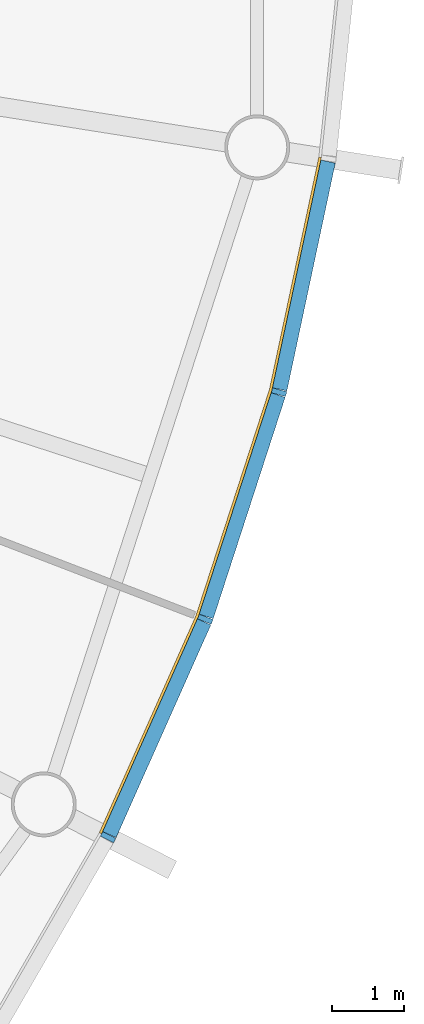
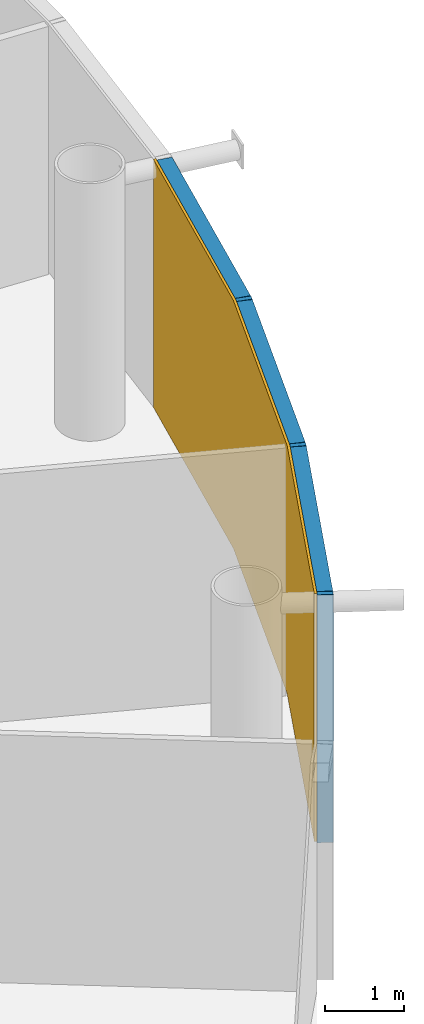
# One storey, part 14 of 18: 6 members, 1 curtain wall.
"""IFC4 building model written with IfcOpenShell, lengths in metres."""

from ifc_helpers import new_model, si_unit, direction, frame, origin, origin_2d, place, context, subcontext, project, spatial, polyline, rectangle, outline, extrude, material, layer, layer_set, material_profile, profile_set, type_object, element, aggregate, save


model = new_model("IFC4")

# Units and contexts
model_context = context("Model", 3, precision=1e-05, world=origin(), true_north=direction((0.0, 1.0)))
body_context = subcontext(model_context, "Body", "Model", "MODEL_VIEW")
ifc_project = project(units=[si_unit("LENGTHUNIT", "METRE"), si_unit("AREAUNIT", "SQUARE_METRE"), si_unit("VOLUMEUNIT", "CUBIC_METRE"), si_unit("PLANEANGLEUNIT", "RADIAN"), si_unit("MASSUNIT", "GRAM", prefix="KILO")], contexts=[model_context])

# Member
ifc_material_1 = material(Name="Anodised aluminium", Category="aluminium")
ifc_material_profile_1 = material_profile(ifc_material_1, rectangle(XDim=0.070068359375, YDim=0.205078125, at=origin_2d()), Name="Mullion 70 x 205 mm anodised aluminium")
ifc_profile_set_1 = profile_set([ifc_material_profile_1], Name="Anodised aluminium")
member_type_1 = type_object("IfcMemberType", Name="Mullion 70 x 205 mm anodised aluminium", PredefinedType="MULLION", material=ifc_profile_set_1)
site_placement = place(None, origin())
building_placement = place(site_placement, origin())
storey_placement = place(building_placement, frame((0.0, 0.0, 388.0)))
member_1_placement = place(storey_placement, frame((118.157958984375, 65.65283203125, 0.0), z_axis=(0.0, 0.0, 1.0), x_axis=(0.45399049974, 0.891006524188, 0.0)))
member_1 = element("IfcMember", 1, at=member_1_placement, type_object=member_type_1, Name="MULLION L90-54", PredefinedType="MULLION", context=body_context, shape_type="SweptSolid", body=[
    extrude(rectangle(XDim=0.070068359375, YDim=0.205078125, at=origin_2d()), origin(), (0.0, 0.0, 1.0), 3.85009765625),
])

member_2_placement = place(storey_placement, frame((119.50341796875, 68.674560546875, 0.0), z_axis=(0.0, 0.0, 1.0), x_axis=(0.358367949545, 0.933580426497, 0.0)))
member_2 = element("IfcMember", 2, at=member_2_placement, type_object=member_type_1, Name="MULLION L90-55", PredefinedType="MULLION", context=body_context, shape_type="SweptSolid", body=[
    extrude(rectangle(XDim=0.070068359375, YDim=0.205078125, at=origin_2d()), origin(), (0.0, 0.0, 1.0), 3.85009765625),
])

member_3_placement = place(storey_placement, frame((120.525634765625, 71.820556640625, 0.0), z_axis=(0.0, 0.0, 1.0), x_axis=(0.258819045103, 0.965925826289, 0.0)))
member_3 = element("IfcMember", 3, at=member_3_placement, type_object=member_type_1, Name="MULLION L90-56", PredefinedType="MULLION", context=body_context, shape_type="SweptSolid", body=[
    extrude(rectangle(XDim=0.070068359375, YDim=0.205078125, at=origin_2d()), origin(), (0.0, 0.0, 1.0), 3.85009765625),
])

ifc_material_2 = material(Name="Anodised aluminium", Category="aluminium")
ifc_material_profile_2 = material_profile(ifc_material_2, rectangle(XDim=0.205078125, YDim=0.195068359375, at=origin_2d()), Name="Transom 195 x 205 mm anodised aluminium")
ifc_profile_set_2 = profile_set([ifc_material_profile_2], Name="Anodised aluminium")
member_type_2 = type_object("IfcMemberType", Name="Transom 195 x 205 mm anodised aluminium", PredefinedType="USERDEFINED", material=ifc_profile_set_2)
member_4_placement = place(storey_placement, frame((118.174560546875, 65.689697265625, 3.75244140625), z_axis=(0.406791170024, 0.913521178731, 0.0), x_axis=(-0.913521178731, 0.406791170024, 0.0)))
member_4 = element("IfcMember", 4, at=member_4_placement, type_object=member_type_2, Name="TRANSOM L90-54", ObjectType="TRANSOM", PredefinedType="USERDEFINED", context=body_context, shape_type="SweptSolid", body=[
    extrude(rectangle(XDim=0.205078125, YDim=0.195068359375, at=origin_2d()), origin(), (0.0, 0.0, 1.0), 3.22705078125),
])

member_5_placement = place(storey_placement, frame((119.51611328125, 68.713134765625, 3.75244140625), z_axis=(0.309046726844, 0.951046855117, 0.0), x_axis=(-0.951046855117, 0.309046726844, 0.0)))
member_5 = element("IfcMember", 5, at=member_5_placement, type_object=member_type_2, Name="TRANSOM L90-55", ObjectType="TRANSOM", PredefinedType="USERDEFINED", context=body_context, shape_type="SweptSolid", body=[
    extrude(rectangle(XDim=0.205078125, YDim=0.195068359375, at=origin_2d()), origin(), (0.0, 0.0, 1.0), 3.22705078125),
])

member_6_placement = place(storey_placement, frame((120.5341796875, 71.860107421875, 3.75244140625), z_axis=(0.207885898771, 0.978153082647, 0.0), x_axis=(-0.978153082647, 0.207885898771, 0.0)))
member_6 = element("IfcMember", 6, at=member_6_placement, type_object=member_type_2, Name="TRANSOM L90-56", ObjectType="TRANSOM", PredefinedType="USERDEFINED", context=body_context, shape_type="SweptSolid", body=[
    extrude(rectangle(XDim=0.205078125, YDim=0.195068359375, at=origin_2d()), origin(), (0.0, 0.0, 1.0), 3.227294921875),
])

# Site, building, storey
site = spatial("IfcSite", under=ifc_project, at=site_placement, CompositionType="ELEMENT")
building = spatial("IfcBuilding", under=site, at=building_placement, Name="Entoto Ring Tower", CompositionType="ELEMENT")
storey = spatial("IfcBuildingStorey", under=building, at=storey_placement, Name="L90", CompositionType="ELEMENT", Elevation=388.0)

# Curtain wall
ifc_material_3 = material(Name="Clear low-iron glass", Category="glass")
ifc_layer = layer(ifc_material_3, 0.035888671875)
ifc_layer_set = layer_set([ifc_layer], Name="Clear low-iron glass")
curtain_wall_type = type_object("IfcCurtainWallType", Name="Curtain wall system CW6 glazing 36 mm", PredefinedType="NOTDEFINED", material=ifc_layer_set)
curtain_wall_placement = place(storey_placement, origin())
curtain_wall = element("IfcCurtainWall", 7, at=curtain_wall_placement, inside=storey, type_object=curtain_wall_type, Name="CW6 L90-19", PredefinedType="NOTDEFINED", context=body_context, shape_type="SweptSolid", body=[
    extrude(outline(polyline([(118.066650390625, 65.69921875), (119.40771484375, 68.71142578125), (120.4267578125, 71.84716796875), (121.1123046875, 75.072265625), (121.07666015625, 75.077880859375), (120.391845703125, 71.8564453125), (119.3740234375, 68.724365234375), (118.03466796875, 65.715576171875), (118.066650390625, 65.69921875)])), origin(), (0.0, 0.0, 1.0), 3.85009765625),
])

aggregate(curtain_wall, [member_1, member_2, member_3, member_4, member_5, member_6])

save(model, "model.ifc")
